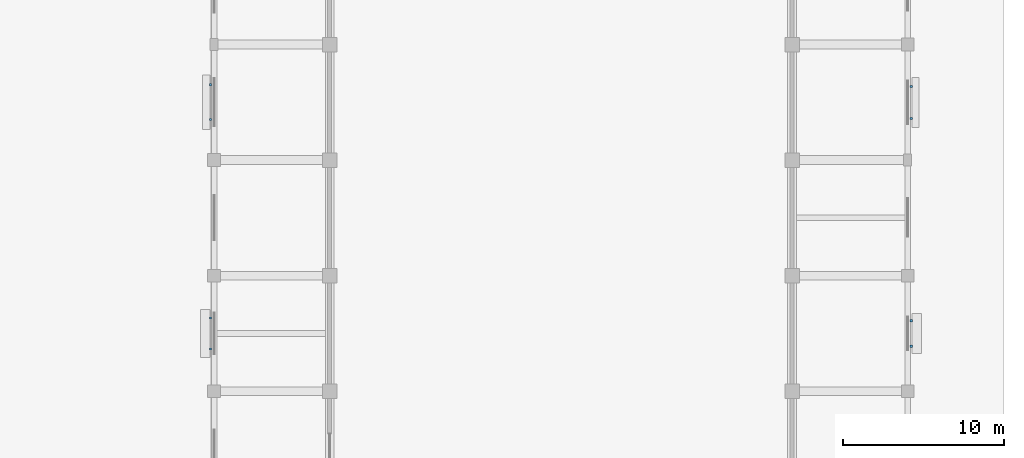
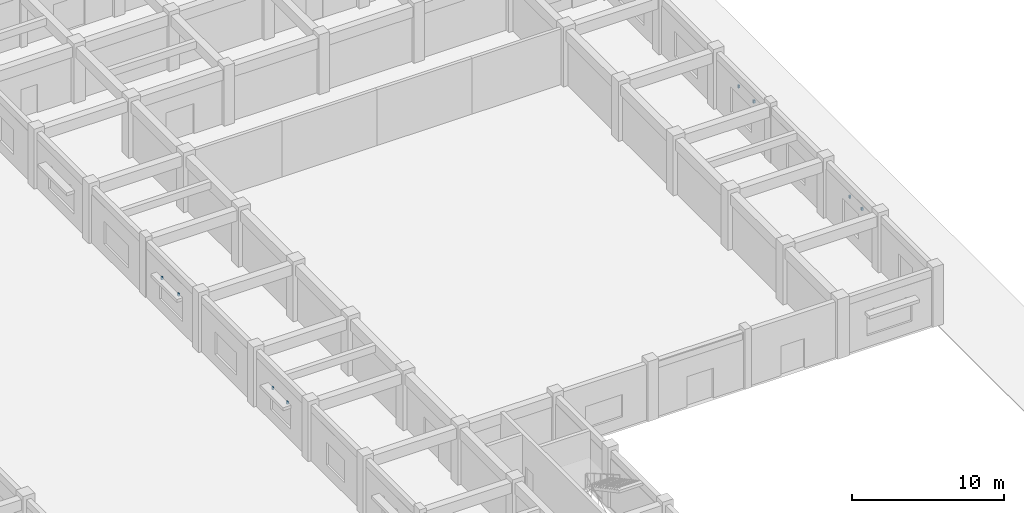
# One storey, part 33 of 37: 8 discrete accessories.
"""IFC4 building model written with IfcOpenShell, lengths in metres."""

from ifc_helpers import new_model, si_unit, direction, frame, origin, origin_2d, place, context, subcontext, project, spatial, rectangle, extrude, material, type_object, element, save


model = new_model("IFC4")

# Units and contexts
model_context = context("Model", 3, precision=1e-05, world=origin(), true_north=direction((0.0, 1.0)))
body_context = subcontext(model_context, "Body", "Model", "MODEL_VIEW")
ifc_project = project(units=[si_unit("LENGTHUNIT", "METRE"), si_unit("AREAUNIT", "SQUARE_METRE"), si_unit("VOLUMEUNIT", "CUBIC_METRE"), si_unit("PLANEANGLEUNIT", "RADIAN"), si_unit("MASSUNIT", "GRAM", prefix="KILO")], contexts=[model_context])

# Site, building, storey
site_placement = place(None, origin())
site = spatial("IfcSite", under=ifc_project, at=site_placement, CompositionType="ELEMENT")
building_placement = place(site_placement, origin())
building = spatial("IfcBuilding", under=site, at=building_placement, Name="Cendaluz Park School", CompositionType="ELEMENT")
storey_placement = place(building_placement, origin())
storey = spatial("IfcBuildingStorey", under=building, at=storey_placement, Name="L00", CompositionType="ELEMENT", Elevation=0.0)

# Discrete accessories
ifc_material = material(Name="Steel S355", Category="steel")
discrete_accessory_type = type_object("IfcDiscreteAccessoryType", Name="BK-01", PredefinedType="BRACKET", material=ifc_material)
for number, where, z_axis, x_axis, name in (
    (1, (129.3798828125, 67.43994140625, 2.72998046875), (0.0, 0.0, 1.0), (0.0, 1.0, 0.0), "BK-L00-045"),
    (2, (129.3798828125, 69.360107421875, 2.72998046875), (0.0, 0.0, 1.0), (0.0, 1.0, 0.0), "BK-L00-046"),
    (3, (129.3798828125, 81.724609375, 2.72998046875), (0.0, 0.0, 1.0), (0.0, 1.0, 0.0), "BK-L00-047"),
    (4, (129.3798828125, 83.900390625, 2.72998046875), (0.0, 0.0, 1.0), (0.0, 1.0, 0.0), "BK-L00-048"),
    (5, (173.02001953125, 67.60009765625, 2.8798828125), (0.0, 0.0, 1.0), (0.0, 1.0, 0.0), "BK-L00-063"),
    (6, (173.02001953125, 69.199951171875, 2.8798828125), (0.0, 0.0, 1.0), (0.0, 1.0, 0.0), "BK-L00-064"),
    (7, (173.02001953125, 81.79541015625, 2.8798828125), (0.0, 0.0, 1.0), (0.0, 1.0, 0.0), "BK-L00-065"),
    (8, (173.02001953125, 83.779541015625, 2.8798828125), (0.0, 0.0, 1.0), (0.0, 1.0, 0.0), "BK-L00-066"),
):
    element("IfcDiscreteAccessory", number, at=place(storey_placement, frame(where, z_axis=z_axis, x_axis=x_axis)), inside=storey, type_object=discrete_accessory_type, Name=name, PredefinedType="BRACKET", context=body_context, shape_type="SweptSolid", body=[
        extrude(rectangle(XDim=0.139892578125, YDim=0.139892578125, at=origin_2d()), origin(), (0.0, 0.0, 1.0), 0.219970703125),
    ])

save(model, "model.ifc")
